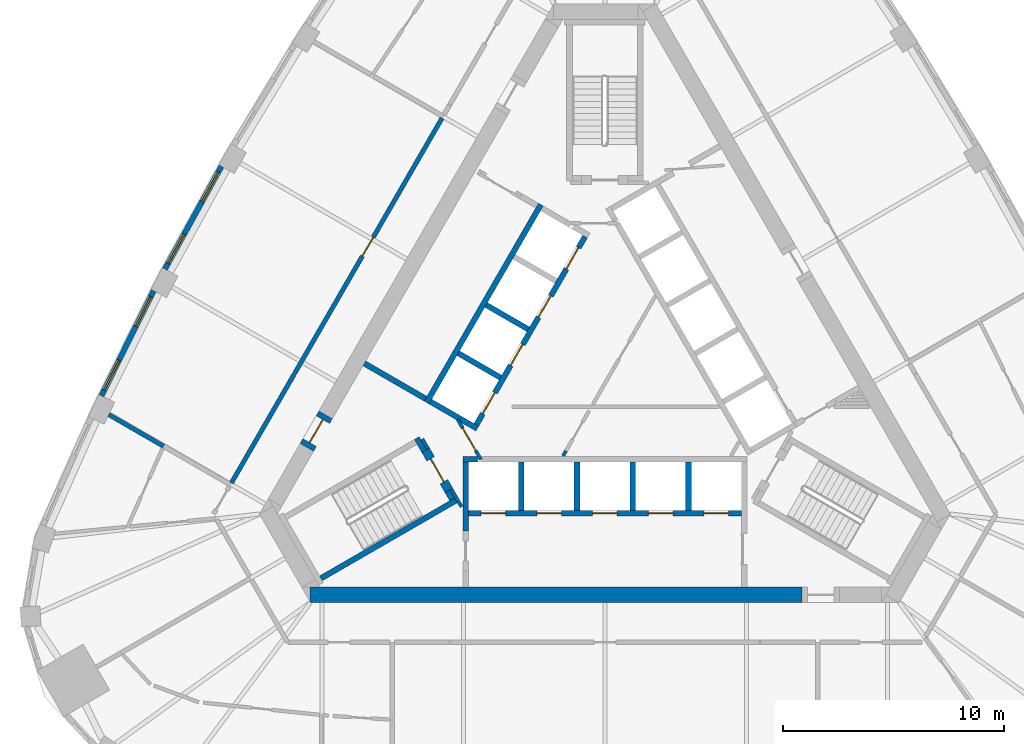
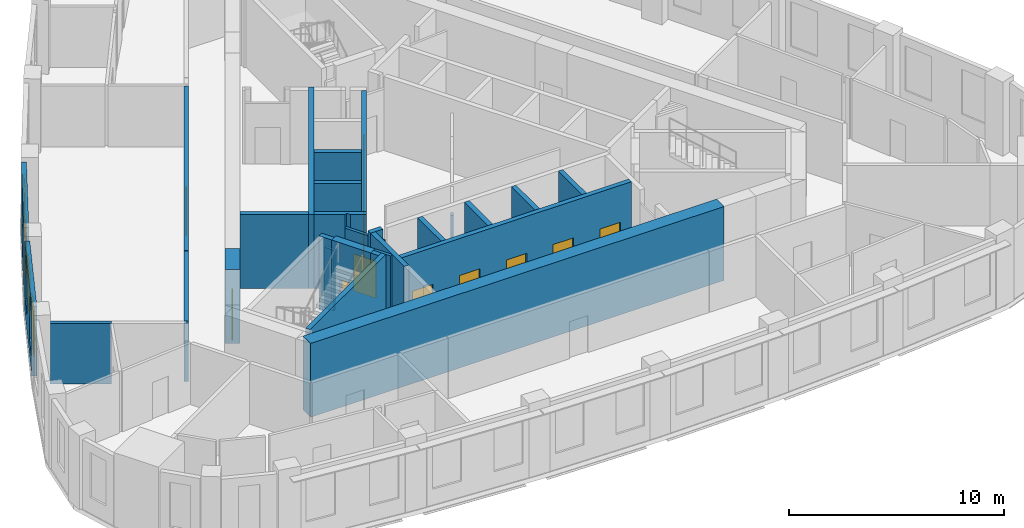
# One storey, part 4 of 10: 28 walls, 13 doors, 4 windows, 17 openings.
"""IFC4 building model written with IfcOpenShell, lengths in metres."""

from ifc_helpers import new_model, si_unit, direction, frame, frame_2d, origin, place, context, subcontext, project, spatial, polyline, rectangle, outline, extrude, material, layer, layer_set, type_object, element, fill, save


model = new_model("IFC4")

# Units and contexts
model_context = context("Model", 3, precision=1e-05, world=origin(), true_north=direction((0.0, 1.0)))
body_context = subcontext(model_context, "Body", "Model", "MODEL_VIEW")
ifc_project = project(units=[si_unit("LENGTHUNIT", "METRE"), si_unit("AREAUNIT", "SQUARE_METRE"), si_unit("VOLUMEUNIT", "CUBIC_METRE"), si_unit("PLANEANGLEUNIT", "RADIAN"), si_unit("MASSUNIT", "GRAM", prefix="KILO")], contexts=[model_context])

# Site, building, storey
site_placement = place(None, origin())
site = spatial("IfcSite", under=ifc_project, at=site_placement, CompositionType="ELEMENT")
building_placement = place(site_placement, origin())
building = spatial("IfcBuilding", under=site, at=building_placement, Name="Mestral Congress Tower", CompositionType="ELEMENT")
storey_placement = place(building_placement, frame((0.0, 0.0, 247.800048828125)))
storey = spatial("IfcBuildingStorey", under=building, at=storey_placement, Name="L58", CompositionType="ELEMENT", Elevation=247.800048828125)

# Walls
ifc_material_1 = material(Name="Fire-rated board partition")
ifc_layer_1 = layer(ifc_material_1, 0.14990234375)
ifc_layer_set_1 = layer_set([ifc_layer_1], Name="Fire-rated board partition")
wall_type_1 = type_object("IfcWallType", Name="Core partition 150", PredefinedType="PARTITIONING", material=ifc_layer_set_1)
wall_1_placement = place(storey_placement, frame((-8.251953125, -2.958251953125, 0.0), z_axis=(0.0, 0.0, 1.0), x_axis=(0.500174715838, -0.865924508047, 0.0)))
element("IfcWall", 1, at=wall_1_placement, inside=storey, type_object=wall_type_1, Name="L58 core wall", PredefinedType="PARTITIONING", context=body_context, shape_type="SweptSolid", body=[
    extrude(rectangle(XDim=0.513916015625, YDim=0.14990234375, at=frame_2d((0.2568359375, 0.0))), origin(), (0.0, 0.0, 1.0), 3.449951171875),
])
wall_2_placement = place(storey_placement, frame((-1.886962890625, -3.71826171875, 0.0), z_axis=(0.0, 0.0, 1.0), x_axis=(0.500165633897, 0.865929753888, 0.0)))
element("IfcWall", 2, at=wall_2_placement, inside=storey, type_object=wall_type_1, Name="L58 core wall", PredefinedType="PARTITIONING", context=body_context, shape_type="SweptSolid", body=[
    extrude(rectangle(XDim=0.25439453125, YDim=0.14990234375, at=frame_2d((0.127197265625, 0.0))), origin(), (0.0, 0.0, 1.0), 3.449951171875),
])

# Wall, opening, door
wall_3_placement = place(storey_placement, frame((-5.606201171875, -3.8896484375, 0.0), z_axis=(0.0, 0.0, 1.0), x_axis=(-0.500027713859, 0.866009402589, 0.0)))
wall_3 = element("IfcWall", 3, at=wall_3_placement, inside=storey, type_object=wall_type_1, Name="L58 door wall", PredefinedType="PARTITIONING", context=body_context, shape_type="SweptSolid", body=[
    extrude(rectangle(XDim=2.10009765625, YDim=0.14990234375, at=frame_2d((1.050048828125, 0.0))), origin(), (0.0, 0.0, 1.0), 3.449951171875),
])
opening_1_placement = place(wall_3_placement, frame((0.449951171875, 0.0, 0.0)))
opening_1 = element("IfcOpeningElement", 4, at=opening_1_placement, cuts=wall_3, Name="Opening CD3-FF", PredefinedType="OPENING", context=body_context, shape_type="SweptSolid", body=[
    extrude(rectangle(XDim=1.199951171875, YDim=2.10009765625, at=frame_2d((0.60009765625, 1.050048828125))), frame((0.0, 0.0849609375, 0.0), z_axis=(0.0, -1.0, 0.0), x_axis=(1.0, 0.0, 0.0)), (0.0, 0.0, 1.0), 0.169921875),
])
ifc_material_2 = material(Name="Fire-rated steel door set", Category="steel")
door_type_1 = type_object("IfcDoorType", Name="Core door CD 1200x2100", OperationType="SINGLE_SWING_LEFT", PredefinedType="DOOR", material=ifc_material_2)
door_1_placement = place(opening_1_placement, origin())
door_1 = element("IfcDoor", 5, at=door_1_placement, inside=storey, type_object=door_type_1, Name="Door CD3-FF", OperationType="SINGLE_SWING_LEFT", OverallHeight=2.10009765625, OverallWidth=1.199951171875, PredefinedType="DOOR", context=body_context, shape_type="SweptSolid", body=[
    extrude(rectangle(XDim=1.199951171875, YDim=2.10009765625, at=frame_2d((0.60009765625, 1.050048828125))), frame((0.0, 0.02490234375, 0.0), z_axis=(0.0, -1.0, 0.0), x_axis=(1.0, 0.0, 0.0)), (0.0, 0.0, 1.0), 0.050048828125),
])
fill(opening_1, door_1)

# Wall
ifc_material_3 = material(Name="Concrete C60/75", Category="concrete")
ifc_layer_2 = layer(ifc_material_3, 0.699951171875)
ifc_layer_set_2 = layer_set([ifc_layer_2], Name="Concrete C60/75")
wall_type_2 = type_object("IfcWallType", Name="Core wall RC 700", PredefinedType="SOLIDWALL", material=ifc_layer_set_2)
wall_4_placement = place(storey_placement, frame((8.904296875, -10.0, 0.0), z_axis=(0.0, 0.0, 1.0), x_axis=(-1.0, 0.0, 0.0)))
element("IfcWall", 6, at=wall_4_placement, inside=storey, type_object=wall_type_2, Name="L58 core wall", PredefinedType="SOLIDWALL", context=body_context, shape_type="SweptSolid", body=[
    extrude(rectangle(XDim=22.226318359375, YDim=0.699951171875, at=frame_2d((11.11328125, 0.0))), origin(), (0.0, 0.0, 1.0), 4.199951171875),
])

# Wall, opening, door
wall_5_placement = place(storey_placement, frame((-13.474853515625, -3.339111328125, 0.0), z_axis=(0.0, 0.0, 1.0), x_axis=(0.499954529098, 0.86605165483, 0.0)))
wall_5 = element("IfcWall", 7, at=wall_5_placement, inside=storey, type_object=wall_type_2, Name="L58 door wall", PredefinedType="SOLIDWALL", context=body_context, shape_type="SweptSolid", body=[
    extrude(rectangle(XDim=1.699951171875, YDim=0.699951171875, at=frame_2d((0.85009765625, 0.0))), origin(), (0.0, 0.0, 1.0), 4.199951171875),
])
opening_2_placement = place(wall_5_placement, frame((0.25, 0.0, 0.0)))
opening_2 = element("IfcOpeningElement", 8, at=opening_2_placement, cuts=wall_5, Name="Opening XD3", PredefinedType="OPENING", context=body_context, shape_type="SweptSolid", body=[
    extrude(rectangle(XDim=1.199951171875, YDim=2.10009765625, at=frame_2d((0.60009765625, 1.050048828125))), frame((0.0, 0.35986328125, 0.0), z_axis=(0.0, -1.0, 0.0), x_axis=(1.0, 0.0, 0.0)), (0.0, 0.0, 1.0), 0.719970703125),
])
door_type_2 = type_object("IfcDoorType", Name="Core door XD 1200x2100", OperationType="SINGLE_SWING_LEFT", PredefinedType="DOOR", material=ifc_material_2)
door_2_placement = place(opening_2_placement, origin())
door_2 = element("IfcDoor", 9, at=door_2_placement, inside=storey, type_object=door_type_2, Name="Door XD3", OperationType="SINGLE_SWING_LEFT", OverallHeight=2.10009765625, OverallWidth=1.199951171875, PredefinedType="DOOR", context=body_context, shape_type="SweptSolid", body=[
    extrude(rectangle(XDim=1.199951171875, YDim=2.10009765625, at=frame_2d((0.60009765625, 1.050048828125))), frame((0.0, 0.02490234375, 0.0), z_axis=(0.0, -1.0, 0.0), x_axis=(1.0, 0.0, 0.0)), (0.0, 0.0, 1.0), 0.050048828125),
])
fill(opening_2, door_2)

# Wall, openings, windows
ifc_material_4 = material(Name="Precast concrete C40/50 with limestone facing", Category="masonry")
ifc_layer_3 = layer(ifc_material_4, 0.239990234375)
ifc_layer_set_3 = layer_set([ifc_layer_3], Name="Precast concrete C40/50 with limestone facing")
wall_type_3 = type_object("IfcWallType", Name="Facade stone wall 240", PredefinedType="SOLIDWALL", material=ifc_layer_set_3)
wall_6_placement = place(storey_placement, frame((-17.338134765625, 9.367919921875, 0.0), z_axis=(0.0, 0.0, 1.0), x_axis=(-0.481925825015, -0.876212017256, 0.0)))
wall_6 = element("IfcWall", 10, at=wall_6_placement, inside=storey, type_object=wall_type_3, Name="Facade wall F2-03", PredefinedType="SOLIDWALL", context=body_context, shape_type="SweptSolid", body=[
    extrude(rectangle(XDim=5.298583984375, YDim=0.239990234375, at=frame_2d((2.6494140625, 0.0))), origin(), (0.0, 0.0, 1.0), 3.949951171875),
])
opening_3_placement = place(wall_6_placement, frame((0.294677734375, 0.0, 0.89990234375)))
opening_3 = element("IfcOpeningElement", 11, at=opening_3_placement, cuts=wall_6, Name="Opening W4", PredefinedType="OPENING", context=body_context, shape_type="SweptSolid", body=[
    extrude(rectangle(XDim=1.5, YDim=2.550048828125, at=frame_2d((0.75, 1.27490234375))), frame((0.0, 0.1298828125, 0.0), z_axis=(0.0, -1.0, 0.0), x_axis=(1.0, 0.0, 0.0)), (0.0, 0.0, 1.0), 0.260009765625),
])
opening_4_placement = place(wall_6_placement, frame((3.503662109375, 0.0, 0.89990234375)))
opening_4 = element("IfcOpeningElement", 12, at=opening_4_placement, cuts=wall_6, Name="Opening W4", PredefinedType="OPENING", context=body_context, shape_type="SweptSolid", body=[
    extrude(rectangle(XDim=1.5, YDim=2.550048828125, at=frame_2d((0.75, 1.27490234375))), frame((0.0, 0.1298828125, 0.0), z_axis=(0.0, -1.0, 0.0), x_axis=(1.0, 0.0, 0.0)), (0.0, 0.0, 1.0), 0.260009765625),
])
ifc_material_5 = material(Name="Clear low-emissivity double glazing", Category="glass")
window_type = type_object("IfcWindowType", Name="Facade punched window 1500 x 2550 sill 900", PartitioningType="SINGLE_PANEL", PredefinedType="WINDOW", material=ifc_material_5)
window_1_placement = place(opening_3_placement, origin())
window_1 = element("IfcWindow", 13, at=window_1_placement, inside=storey, type_object=window_type, Name="Window F2-03a", OverallHeight=2.550048828125, OverallWidth=1.5, PartitioningType="SINGLE_PANEL", PredefinedType="WINDOW", context=body_context, shape_type="SweptSolid", body=[
    extrude(rectangle(XDim=1.5, YDim=2.550048828125, at=frame_2d((0.75, 1.27490234375))), frame((0.0, 0.0400390625, 0.0), z_axis=(0.0, -1.0, 0.0), x_axis=(1.0, 0.0, 0.0)), (0.0, 0.0, 1.0), 0.06005859375),
])
fill(opening_3, window_1)
window_2_placement = place(opening_4_placement, origin())
window_2 = element("IfcWindow", 14, at=window_2_placement, inside=storey, type_object=window_type, Name="Window F2-03b", OverallHeight=2.550048828125, OverallWidth=1.5, PartitioningType="SINGLE_PANEL", PredefinedType="WINDOW", context=body_context, shape_type="SweptSolid", body=[
    extrude(rectangle(XDim=1.5, YDim=2.550048828125, at=frame_2d((0.75, 1.27490234375))), frame((0.0, 0.0400390625, 0.0), z_axis=(0.0, -1.0, 0.0), x_axis=(1.0, 0.0, 0.0)), (0.0, 0.0, 1.0), 0.06005859375),
])
fill(opening_4, window_2)

wall_7_placement = place(storey_placement, frame((-20.407470703125, 3.739501953125, 0.0), z_axis=(0.0, 0.0, 1.0), x_axis=(-0.445129582031, -0.895466166419, 0.0)))
wall_7 = element("IfcWall", 15, at=wall_7_placement, inside=storey, type_object=wall_type_3, Name="Facade wall F2-04", PredefinedType="SOLIDWALL", context=body_context, shape_type="SweptSolid", body=[
    extrude(rectangle(XDim=5.29833984375, YDim=0.239990234375, at=frame_2d((2.649169921875, 0.0))), origin(), (0.0, 0.0, 1.0), 3.949951171875),
])
opening_5_placement = place(wall_7_placement, frame((0.294677734375, 0.0, 0.89990234375)))
opening_5 = element("IfcOpeningElement", 16, at=opening_5_placement, cuts=wall_7, Name="Opening W4", PredefinedType="OPENING", context=body_context, shape_type="SweptSolid", body=[
    extrude(rectangle(XDim=1.5, YDim=2.550048828125, at=frame_2d((0.75, 1.27490234375))), frame((0.0, 0.1298828125, 0.0), z_axis=(0.0, -1.0, 0.0), x_axis=(1.0, 0.0, 0.0)), (0.0, 0.0, 1.0), 0.260009765625),
])
opening_6_placement = place(wall_7_placement, frame((3.503662109375, 0.0, 0.89990234375)))
opening_6 = element("IfcOpeningElement", 17, at=opening_6_placement, cuts=wall_7, Name="Opening W4", PredefinedType="OPENING", context=body_context, shape_type="SweptSolid", body=[
    extrude(rectangle(XDim=1.5, YDim=2.550048828125, at=frame_2d((0.75, 1.27490234375))), frame((0.0, 0.1298828125, 0.0), z_axis=(0.0, -1.0, 0.0), x_axis=(1.0, 0.0, 0.0)), (0.0, 0.0, 1.0), 0.260009765625),
])
window_3_placement = place(opening_5_placement, origin())
window_3 = element("IfcWindow", 18, at=window_3_placement, inside=storey, type_object=window_type, Name="Window F2-04a", OverallHeight=2.550048828125, OverallWidth=1.5, PartitioningType="SINGLE_PANEL", PredefinedType="WINDOW", context=body_context, shape_type="SweptSolid", body=[
    extrude(rectangle(XDim=1.5, YDim=2.550048828125, at=frame_2d((0.75, 1.27490234375))), frame((0.0, 0.0400390625, 0.0), z_axis=(0.0, -1.0, 0.0), x_axis=(1.0, 0.0, 0.0)), (0.0, 0.0, 1.0), 0.06005859375),
])
fill(opening_5, window_3)
window_4_placement = place(opening_6_placement, origin())
window_4 = element("IfcWindow", 19, at=window_4_placement, inside=storey, type_object=window_type, Name="Window F2-04b", OverallHeight=2.550048828125, OverallWidth=1.5, PartitioningType="SINGLE_PANEL", PredefinedType="WINDOW", context=body_context, shape_type="SweptSolid", body=[
    extrude(rectangle(XDim=1.5, YDim=2.550048828125, at=frame_2d((0.75, 1.27490234375))), frame((0.0, 0.0400390625, 0.0), z_axis=(0.0, -1.0, 0.0), x_axis=(1.0, 0.0, 0.0)), (0.0, 0.0, 1.0), 0.06005859375),
])
fill(opening_6, window_4)

# Wall
ifc_material_6 = material(Name="Dense masonry wall, plastered", Category="masonry")
ifc_layer_4 = layer(ifc_material_6, 0.199951171875)
ifc_layer_set_4 = layer_set([ifc_layer_4], Name="Dense masonry wall, plastered")
wall_type_4 = type_object("IfcWallType", Name="Office tenancy wall 200", PredefinedType="PARTITIONING", material=ifc_layer_set_4)
wall_8_placement = place(storey_placement, frame((-19.950927734375, -3.28759765625, 0.0), z_axis=(0.0, 0.0, 1.0), x_axis=(-0.866044908516, 0.499966215292, 0.0)))
element("IfcWall", 20, at=wall_8_placement, inside=storey, type_object=wall_type_4, Name="Tenancy wall", PredefinedType="PARTITIONING", context=body_context, shape_type="SweptSolid", body=[
    extrude(rectangle(XDim=2.861083984375, YDim=0.199951171875, at=frame_2d((1.4306640625, 0.0))), origin(), (0.0, 0.0, 1.0), 3.449951171875),
])

# Wall, opening, door
wall_9_placement = place(storey_placement, frame((-7.36376953125, 11.54541015625, 0.0), z_axis=(0.0, 0.0, 1.0), x_axis=(-0.500001759768, -0.86602438778, 0.0)))
wall_9 = element("IfcWall", 21, at=wall_9_placement, inside=storey, type_object=wall_type_4, Name="Tenancy wall", PredefinedType="PARTITIONING", context=body_context, shape_type="SweptSolid", body=[
    extrude(rectangle(XDim=13.31689453125, YDim=0.199951171875, at=frame_2d((6.658447265625, 0.0))), origin(), (0.0, 0.0, 1.0), 3.449951171875),
])
opening_7_placement = place(wall_9_placement, frame((6.199951171875, 0.0, 0.0)))
opening_7 = element("IfcOpeningElement", 22, at=opening_7_placement, cuts=wall_9, Name="Opening O09-015", PredefinedType="OPENING", context=body_context, shape_type="SweptSolid", body=[
    extrude(rectangle(XDim=1.0, YDim=2.10009765625, at=frame_2d((0.5, 1.050048828125))), frame((0.0, 0.10986328125, 0.0), z_axis=(0.0, -1.0, 0.0), x_axis=(1.0, 0.0, 0.0)), (0.0, 0.0, 1.0), 0.219970703125),
])
ifc_material_7 = material(Name="Fire-rated timber door set", Category="wood")
door_type_3 = type_object("IfcDoorType", Name="Office tenancy entrance door 1000x2100", OperationType="SINGLE_SWING_LEFT", PredefinedType="DOOR", material=ifc_material_7)
door_3_placement = place(opening_7_placement, origin())
door_3 = element("IfcDoor", 23, at=door_3_placement, inside=storey, type_object=door_type_3, Name="Door O09-015", OperationType="SINGLE_SWING_RIGHT", OverallHeight=2.10009765625, OverallWidth=1.0, PredefinedType="DOOR", context=body_context, shape_type="SweptSolid", body=[
    extrude(rectangle(XDim=1.0, YDim=2.10009765625, at=frame_2d((0.5, 1.050048828125))), frame((0.0, 0.02490234375, 0.0), z_axis=(0.0, -1.0, 0.0), x_axis=(1.0, 0.0, 0.0)), (0.0, 0.0, 1.0), 0.050048828125),
])
fill(opening_7, door_3)

# Walls
wall_10_placement = place(storey_placement, frame((-14.037109375, -0.01318359375, 0.0), z_axis=(0.0, 0.0, 1.0), x_axis=(-0.500018205831, -0.866014892388, 0.0)))
element("IfcWall", 24, at=wall_10_placement, inside=storey, type_object=wall_type_4, Name="Tenancy wall", PredefinedType="PARTITIONING", context=body_context, shape_type="SweptSolid", body=[
    extrude(rectangle(XDim=5.692626953125, YDim=0.199951171875, at=frame_2d((2.84619140625, 0.0))), origin(), (0.0, 0.0, 1.0), 3.449951171875),
])
ifc_layer_5 = layer(ifc_material_3, 0.25)
ifc_layer_set_5 = layer_set([ifc_layer_5], Name="Concrete C60/75")
wall_type_5 = type_object("IfcWallType", Name="Shaft wall RC 250", PredefinedType="SOLIDWALL", material=ifc_layer_set_5)
wall_11_placement = place(storey_placement, frame((-6.425048828125, -3.875, 0.0), z_axis=(0.0, 0.0, 1.0), x_axis=(1.0, 0.0, 0.0)))
element("IfcWall", 25, at=wall_11_placement, inside=storey, type_object=wall_type_5, Name="L58 core wall", PredefinedType="SOLIDWALL", context=body_context, shape_type="SweptSolid", body=[
    extrude(rectangle(XDim=0.657958984375, YDim=0.25, at=frame_2d((0.3291015625, 0.0))), origin(), (0.0, 0.0, 1.0), 4.199951171875),
])
for number, where, z_axis, x_axis, name in (
    (26, (3.780029296875, -4.0, 0.0), (0.0, 0.0, 1.0), (0.0, -1.0, 0.0), "L58 core wall"),
    (27, (1.260009765625, -4.0, 0.0), (0.0, 0.0, 1.0), (0.0, -1.0, 0.0), "L58 core wall"),
    (28, (-1.260009765625, -4.0, 0.0), (0.0, 0.0, 1.0), (0.0, -1.0, 0.0), "L58 core wall"),
    (29, (-3.780029296875, -4.0, 0.0), (0.0, 0.0, 1.0), (0.0, -1.0, 0.0), "L58 core wall"),
):
    element("IfcWall", number, at=place(storey_placement, frame(where, z_axis=z_axis, x_axis=x_axis)), inside=storey, type_object=wall_type_5, Name=name, PredefinedType="SOLIDWALL", context=body_context, shape_type="SweptSolid", body=[
        extrude(rectangle(XDim=2.199951171875, YDim=0.25, at=frame_2d((1.10009765625, 0.0))), origin(), (0.0, 0.0, 1.0), 4.199951171875),
    ])
wall_12_placement = place(storey_placement, frame((-6.300048828125, -7.12451171875, 0.0), z_axis=(0.0, 0.0, 1.0), x_axis=(0.0, 1.0, 0.0)))
element("IfcWall", 30, at=wall_12_placement, inside=storey, type_object=wall_type_5, Name="L58 core wall", PredefinedType="SOLIDWALL", context=body_context, shape_type="SweptSolid", body=[
    extrude(rectangle(XDim=3.12451171875, YDim=0.25, at=frame_2d((1.562255859375, 0.0))), origin(), (0.0, 0.0, 1.0), 4.199951171875),
])
wall_13_placement = place(storey_placement, frame((-8.06005859375, -1.310546875, 0.0), z_axis=(0.0, 0.0, 1.0), x_axis=(0.50000273126, 0.866023826885, 0.0)))
element("IfcWall", 31, at=wall_13_placement, inside=storey, type_object=wall_type_5, Name="L58 core wall", PredefinedType="SOLIDWALL", context=body_context, shape_type="SweptSolid", body=[
    extrude(rectangle(XDim=10.330078125, YDim=0.25, at=frame_2d((5.1650390625, 0.0))), origin(), (0.0, 0.0, 1.0), 4.199951171875),
])
for number, where, z_axis, x_axis, name in (
    (32, (-5.369384765625, 3.10009765625, 0.0), (0.0, 0.0, 1.0), (0.866008176907, -0.50002983664, 0.0), "L58 core wall"),
    (33, (-4.72412109375, -0.182373046875, 0.0), (0.0, 0.0, 1.0), (-0.866008176907, 0.50002983664, 0.0), "L58 core wall"),
):
    element("IfcWall", number, at=place(storey_placement, frame(where, z_axis=z_axis, x_axis=x_axis)), inside=storey, type_object=wall_type_5, Name=name, PredefinedType="SOLIDWALL", context=body_context, shape_type="SweptSolid", body=[
        extrude(rectangle(XDim=2.199951171875, YDim=0.25, at=frame_2d((1.10009765625, 0.0))), origin(), (0.0, 0.0, 1.0), 4.199951171875),
    ])
wall_14_placement = place(storey_placement, origin())
element("IfcWall", 34, at=wall_14_placement, inside=storey, type_object=wall_type_5, Name="L58 core wall", PredefinedType="SOLIDWALL", context=body_context, shape_type="SweptSolid", body=[
    extrude(outline(polyline([(-5.921630859375, -2.256591796875), (-5.921630859375, -2.256591796875), (-5.705078125, -2.381591796875), (-5.830078125, -2.597900390625), (-6.48291015625, -2.22119140625), (-6.59130859375, -2.033447265625), (-6.59130859375, -2.033447265625), (-6.69970703125, -2.095947265625), (-7.951904296875, -1.373046875), (-7.826904296875, -1.156494140625), (-5.921630859375, -2.256591796875)])), origin(), (0.0, 0.0, 1.0), 4.199951171875),
])
wall_15_placement = place(storey_placement, frame((-8.10595703125, -1.139892578125, 0.0), z_axis=(0.0, 0.0, 1.0), x_axis=(-0.866008981251, 0.500028443584, 0.0)))
element("IfcWall", 35, at=wall_15_placement, inside=storey, type_object=wall_type_5, Name="L58 core wall", PredefinedType="SOLIDWALL", context=body_context, shape_type="SweptSolid", body=[
    extrude(rectangle(XDim=3.199951171875, YDim=0.25, at=frame_2d((1.60009765625, 0.0))), origin(), (0.0, 0.0, 1.0), 4.199951171875),
])

# Wall, openings, doors
wall_16_placement = place(storey_placement, frame((-6.175048828125, -6.324951171875, 0.0), z_axis=(0.0, 0.0, 1.0), x_axis=(1.0, 0.0, 0.0)))
wall_16 = element("IfcWall", 36, at=wall_16_placement, inside=storey, type_object=wall_type_5, Name="L58 door wall", PredefinedType="SOLIDWALL", context=body_context, shape_type="SweptSolid", body=[
    extrude(rectangle(XDim=12.35009765625, YDim=0.25, at=frame_2d((6.175048828125, 0.0))), origin(), (0.0, 0.0, 1.0), 4.199951171875),
])
opening_8_placement = place(wall_16_placement, frame((0.5849609375, 0.0, 0.0)))
opening_8 = element("IfcOpeningElement", 37, at=opening_8_placement, cuts=wall_16, Name="Opening LD-SOB1", PredefinedType="OPENING", context=body_context, shape_type="SweptSolid", body=[
    extrude(rectangle(XDim=1.10009765625, YDim=2.10009765625, at=frame_2d((0.550048828125, 1.050048828125))), frame((0.0, 0.135009765625, 0.0), z_axis=(0.0, -1.0, 0.0), x_axis=(1.0, 0.0, 0.0)), (0.0, 0.0, 1.0), 0.27001953125),
])
opening_9_placement = place(wall_16_placement, frame((3.10498046875, 0.0, 0.0)))
opening_9 = element("IfcOpeningElement", 38, at=opening_9_placement, cuts=wall_16, Name="Opening LD-SOB2", PredefinedType="OPENING", context=body_context, shape_type="SweptSolid", body=[
    extrude(rectangle(XDim=1.10009765625, YDim=2.10009765625, at=frame_2d((0.550048828125, 1.050048828125))), frame((0.0, 0.135009765625, 0.0), z_axis=(0.0, -1.0, 0.0), x_axis=(1.0, 0.0, 0.0)), (0.0, 0.0, 1.0), 0.27001953125),
])
opening_10_placement = place(wall_16_placement, frame((5.625, 0.0, 0.0)))
opening_10 = element("IfcOpeningElement", 39, at=opening_10_placement, cuts=wall_16, Name="Opening LD-SOB3", PredefinedType="OPENING", context=body_context, shape_type="SweptSolid", body=[
    extrude(rectangle(XDim=1.10009765625, YDim=2.10009765625, at=frame_2d((0.550048828125, 1.050048828125))), frame((0.0, 0.135009765625, 0.0), z_axis=(0.0, -1.0, 0.0), x_axis=(1.0, 0.0, 0.0)), (0.0, 0.0, 1.0), 0.27001953125),
])
opening_11_placement = place(wall_16_placement, frame((8.14501953125, 0.0, 0.0)))
opening_11 = element("IfcOpeningElement", 40, at=opening_11_placement, cuts=wall_16, Name="Opening LD-SOB4", PredefinedType="OPENING", context=body_context, shape_type="SweptSolid", body=[
    extrude(rectangle(XDim=1.10009765625, YDim=2.10009765625, at=frame_2d((0.550048828125, 1.050048828125))), frame((0.0, 0.135009765625, 0.0), z_axis=(0.0, -1.0, 0.0), x_axis=(1.0, 0.0, 0.0)), (0.0, 0.0, 1.0), 0.27001953125),
])
opening_12_placement = place(wall_16_placement, frame((10.6650390625, 0.0, 0.0)))
opening_12 = element("IfcOpeningElement", 41, at=opening_12_placement, cuts=wall_16, Name="Opening LD-SOB5", PredefinedType="OPENING", context=body_context, shape_type="SweptSolid", body=[
    extrude(rectangle(XDim=1.10009765625, YDim=2.10009765625, at=frame_2d((0.550048828125, 1.050048828125))), frame((0.0, 0.135009765625, 0.0), z_axis=(0.0, -1.0, 0.0), x_axis=(1.0, 0.0, 0.0)), (0.0, 0.0, 1.0), 0.27001953125),
])
door_type_4 = type_object("IfcDoorType", Name="Core door LD 1100x2100", OperationType="DOUBLE_DOOR_SLIDING", PredefinedType="DOOR", material=ifc_material_2)
door_4_placement = place(opening_8_placement, origin())
door_4 = element("IfcDoor", 42, at=door_4_placement, inside=storey, type_object=door_type_4, Name="Door LD-SOB1", OperationType="DOUBLE_DOOR_SLIDING", OverallHeight=2.10009765625, OverallWidth=1.10009765625, PredefinedType="DOOR", context=body_context, shape_type="SweptSolid", body=[
    extrude(rectangle(XDim=1.10009765625, YDim=2.10009765625, at=frame_2d((0.550048828125, 1.050048828125))), frame((0.0, 0.02490234375, 0.0), z_axis=(0.0, -1.0, 0.0), x_axis=(1.0, 0.0, 0.0)), (0.0, 0.0, 1.0), 0.050048828125),
])
fill(opening_8, door_4)
door_5_placement = place(opening_9_placement, origin())
door_5 = element("IfcDoor", 43, at=door_5_placement, inside=storey, type_object=door_type_4, Name="Door LD-SOB2", OperationType="DOUBLE_DOOR_SLIDING", OverallHeight=2.10009765625, OverallWidth=1.10009765625, PredefinedType="DOOR", context=body_context, shape_type="SweptSolid", body=[
    extrude(rectangle(XDim=1.10009765625, YDim=2.10009765625, at=frame_2d((0.550048828125, 1.050048828125))), frame((0.0, 0.02490234375, 0.0), z_axis=(0.0, -1.0, 0.0), x_axis=(1.0, 0.0, 0.0)), (0.0, 0.0, 1.0), 0.050048828125),
])
fill(opening_9, door_5)
door_6_placement = place(opening_10_placement, origin())
door_6 = element("IfcDoor", 44, at=door_6_placement, inside=storey, type_object=door_type_4, Name="Door LD-SOB3", OperationType="DOUBLE_DOOR_SLIDING", OverallHeight=2.10009765625, OverallWidth=1.10009765625, PredefinedType="DOOR", context=body_context, shape_type="SweptSolid", body=[
    extrude(rectangle(XDim=1.10009765625, YDim=2.10009765625, at=frame_2d((0.550048828125, 1.050048828125))), frame((0.0, 0.02490234375, 0.0), z_axis=(0.0, -1.0, 0.0), x_axis=(1.0, 0.0, 0.0)), (0.0, 0.0, 1.0), 0.050048828125),
])
fill(opening_10, door_6)
door_7_placement = place(opening_11_placement, origin())
door_7 = element("IfcDoor", 45, at=door_7_placement, inside=storey, type_object=door_type_4, Name="Door LD-SOB4", OperationType="DOUBLE_DOOR_SLIDING", OverallHeight=2.10009765625, OverallWidth=1.10009765625, PredefinedType="DOOR", context=body_context, shape_type="SweptSolid", body=[
    extrude(rectangle(XDim=1.10009765625, YDim=2.10009765625, at=frame_2d((0.550048828125, 1.050048828125))), frame((0.0, 0.02490234375, 0.0), z_axis=(0.0, -1.0, 0.0), x_axis=(1.0, 0.0, 0.0)), (0.0, 0.0, 1.0), 0.050048828125),
])
fill(opening_11, door_7)
door_8_placement = place(opening_12_placement, origin())
door_8 = element("IfcDoor", 46, at=door_8_placement, inside=storey, type_object=door_type_4, Name="Door LD-SOB5", OperationType="DOUBLE_DOOR_SLIDING", OverallHeight=2.10009765625, OverallWidth=1.10009765625, PredefinedType="DOOR", context=body_context, shape_type="SweptSolid", body=[
    extrude(rectangle(XDim=1.10009765625, YDim=2.10009765625, at=frame_2d((0.550048828125, 1.050048828125))), frame((0.0, 0.02490234375, 0.0), z_axis=(0.0, -1.0, 0.0), x_axis=(1.0, 0.0, 0.0)), (0.0, 0.0, 1.0), 0.050048828125),
])
fill(opening_12, door_8)

wall_17_placement = place(storey_placement, frame((-0.898193359375, 6.194091796875, 0.0), z_axis=(0.0, 0.0, 1.0), x_axis=(-0.499996202215, -0.866027596426, 0.0)))
wall_17 = element("IfcWall", 47, at=wall_17_placement, inside=storey, type_object=wall_type_5, Name="L58 door wall", PredefinedType="SOLIDWALL", context=body_context, shape_type="SweptSolid", body=[
    extrude(rectangle(XDim=9.830078125, YDim=0.25, at=frame_2d((4.9150390625, 0.0))), origin(), (0.0, 0.0, 1.0), 4.199951171875),
])
opening_13_placement = place(wall_17_placement, frame((0.5849609375, 0.0, 0.0)))
opening_13 = element("IfcOpeningElement", 48, at=opening_13_placement, cuts=wall_17, Name="Opening LD-NWB1", PredefinedType="OPENING", context=body_context, shape_type="SweptSolid", body=[
    extrude(rectangle(XDim=1.10009765625, YDim=2.10009765625, at=frame_2d((0.550048828125, 1.050048828125))), frame((0.0, 0.135009765625, 0.0), z_axis=(0.0, -1.0, 0.0), x_axis=(1.0, 0.0, 0.0)), (0.0, 0.0, 1.0), 0.27001953125),
])
opening_14_placement = place(wall_17_placement, frame((3.10498046875, 0.0, 0.0)))
opening_14 = element("IfcOpeningElement", 49, at=opening_14_placement, cuts=wall_17, Name="Opening LD-NWB2", PredefinedType="OPENING", context=body_context, shape_type="SweptSolid", body=[
    extrude(rectangle(XDim=1.10009765625, YDim=2.10009765625, at=frame_2d((0.550048828125, 1.050048828125))), frame((0.0, 0.135009765625, 0.0), z_axis=(0.0, -1.0, 0.0), x_axis=(1.0, 0.0, 0.0)), (0.0, 0.0, 1.0), 0.27001953125),
])
opening_15_placement = place(wall_17_placement, frame((5.625, 0.0, 0.0)))
opening_15 = element("IfcOpeningElement", 50, at=opening_15_placement, cuts=wall_17, Name="Opening LD-NWB3", PredefinedType="OPENING", context=body_context, shape_type="SweptSolid", body=[
    extrude(rectangle(XDim=1.10009765625, YDim=2.10009765625, at=frame_2d((0.550048828125, 1.050048828125))), frame((0.0, 0.135009765625, 0.0), z_axis=(0.0, -1.0, 0.0), x_axis=(1.0, 0.0, 0.0)), (0.0, 0.0, 1.0), 0.27001953125),
])
opening_16_placement = place(wall_17_placement, frame((8.14501953125, 0.0, 0.0)))
opening_16 = element("IfcOpeningElement", 51, at=opening_16_placement, cuts=wall_17, Name="Opening LD-NWB4", PredefinedType="OPENING", context=body_context, shape_type="SweptSolid", body=[
    extrude(rectangle(XDim=1.10009765625, YDim=2.10009765625, at=frame_2d((0.550048828125, 1.050048828125))), frame((0.0, 0.135009765625, 0.0), z_axis=(0.0, -1.0, 0.0), x_axis=(1.0, 0.0, 0.0)), (0.0, 0.0, 1.0), 0.27001953125),
])
door_9_placement = place(opening_13_placement, origin())
door_9 = element("IfcDoor", 52, at=door_9_placement, inside=storey, type_object=door_type_4, Name="Door LD-NWB1", OperationType="DOUBLE_DOOR_SLIDING", OverallHeight=2.10009765625, OverallWidth=1.10009765625, PredefinedType="DOOR", context=body_context, shape_type="SweptSolid", body=[
    extrude(rectangle(XDim=1.10009765625, YDim=2.10009765625, at=frame_2d((0.550048828125, 1.050048828125))), frame((0.0, 0.02490234375, 0.0), z_axis=(0.0, -1.0, 0.0), x_axis=(1.0, 0.0, 0.0)), (0.0, 0.0, 1.0), 0.050048828125),
])
fill(opening_13, door_9)
door_10_placement = place(opening_14_placement, origin())
door_10 = element("IfcDoor", 53, at=door_10_placement, inside=storey, type_object=door_type_4, Name="Door LD-NWB2", OperationType="DOUBLE_DOOR_SLIDING", OverallHeight=2.10009765625, OverallWidth=1.10009765625, PredefinedType="DOOR", context=body_context, shape_type="SweptSolid", body=[
    extrude(rectangle(XDim=1.10009765625, YDim=2.10009765625, at=frame_2d((0.550048828125, 1.050048828125))), frame((0.0, 0.02490234375, 0.0), z_axis=(0.0, -1.0, 0.0), x_axis=(1.0, 0.0, 0.0)), (0.0, 0.0, 1.0), 0.050048828125),
])
fill(opening_14, door_10)
door_11_placement = place(opening_15_placement, origin())
door_11 = element("IfcDoor", 54, at=door_11_placement, inside=storey, type_object=door_type_4, Name="Door LD-NWB3", OperationType="DOUBLE_DOOR_SLIDING", OverallHeight=2.10009765625, OverallWidth=1.10009765625, PredefinedType="DOOR", context=body_context, shape_type="SweptSolid", body=[
    extrude(rectangle(XDim=1.10009765625, YDim=2.10009765625, at=frame_2d((0.550048828125, 1.050048828125))), frame((0.0, 0.02490234375, 0.0), z_axis=(0.0, -1.0, 0.0), x_axis=(1.0, 0.0, 0.0)), (0.0, 0.0, 1.0), 0.050048828125),
])
fill(opening_15, door_11)
door_12_placement = place(opening_16_placement, origin())
door_12 = element("IfcDoor", 55, at=door_12_placement, inside=storey, type_object=door_type_4, Name="Door LD-NWB4", OperationType="DOUBLE_DOOR_SLIDING", OverallHeight=2.10009765625, OverallWidth=1.10009765625, PredefinedType="DOOR", context=body_context, shape_type="SweptSolid", body=[
    extrude(rectangle(XDim=1.10009765625, YDim=2.10009765625, at=frame_2d((0.550048828125, 1.050048828125))), frame((0.0, 0.02490234375, 0.0), z_axis=(0.0, -1.0, 0.0), x_axis=(1.0, 0.0, 0.0)), (0.0, 0.0, 1.0), 0.050048828125),
])
fill(opening_16, door_12)

# Walls
ifc_layer_6 = layer(ifc_material_3, 0.14990234375)
ifc_layer_set_6 = layer_set([ifc_layer_6], Name="Concrete C60/75")
wall_type_6 = type_object("IfcWallType", Name="Shaft wall RC 250 door-wall 150", PredefinedType="SOLIDWALL", material=ifc_layer_set_6)
wall_18_placement = place(storey_placement, frame((-6.48046875, -6.026611328125, 0.0), z_axis=(0.0, 0.0, 1.0), x_axis=(-0.499927229454, 0.866067413802, 0.0)))
element("IfcWall", 56, at=wall_18_placement, inside=storey, type_object=wall_type_6, Name="L58 core wall", PredefinedType="PARTITIONING", context=body_context, shape_type="SweptSolid", body=[
    extrude(rectangle(XDim=0.928955078125, YDim=0.14990234375, at=frame_2d((0.46435546875, 0.0))), origin(), (0.0, 0.0, 1.0), 4.199951171875),
])
ifc_layer_7 = layer(ifc_material_3, 0.25)
ifc_layer_set_7 = layer_set([ifc_layer_7], Name="Concrete C60/75")
wall_type_7 = type_object("IfcWallType", Name="Stair wall RC 250", PredefinedType="SOLIDWALL", material=ifc_layer_set_7)
wall_19_placement = place(storey_placement, frame((-8.167724609375, -3.503173828125, 0.0), z_axis=(0.0, 0.0, 1.0), x_axis=(-0.499952099219, 0.866053057547, 0.0)))
element("IfcWall", 57, at=wall_19_placement, inside=storey, type_object=wall_type_7, Name="L58 core wall", PredefinedType="SOLIDWALL", context=body_context, shape_type="SweptSolid", body=[
    extrude(rectangle(XDim=0.6748046875, YDim=0.25, at=frame_2d((0.33740234375, 0.0))), origin(), (0.0, 0.0, 1.0), 4.199951171875),
])
wall_20_placement = place(storey_placement, frame((-12.83984375, -9.2607421875, 0.0), z_axis=(0.0, 0.0, 1.0), x_axis=(0.866016039709, 0.500016218704, 0.0)))
element("IfcWall", 58, at=wall_20_placement, inside=storey, type_object=wall_type_7, Name="L58 core wall", PredefinedType="SOLIDWALL", context=body_context, shape_type="SweptSolid", body=[
    extrude(rectangle(XDim=7.050048828125, YDim=0.25, at=frame_2d((3.52490234375, 0.0))), origin(), (0.0, 0.0, 1.0), 4.199951171875),
])
wall_21_placement = place(storey_placement, frame((-6.905029296875, -5.68994140625, 0.0), z_axis=(0.0, 0.0, 1.0), x_axis=(-0.500402024738, 0.865793170242, 0.0)))
element("IfcWall", 59, at=wall_21_placement, inside=storey, type_object=wall_type_7, Name="L58 core wall", PredefinedType="SOLIDWALL", context=body_context, shape_type="SweptSolid", body=[
    extrude(rectangle(XDim=0.425048828125, YDim=0.25, at=frame_2d((0.21240234375, 0.0))), origin(), (0.0, 0.0, 1.0), 4.199951171875),
])

# Wall, opening, door
ifc_layer_8 = layer(ifc_material_3, 0.39990234375)
ifc_layer_set_8 = layer_set([ifc_layer_8], Name="Concrete C60/75")
wall_type_8 = type_object("IfcWallType", Name="Stair wall RC 250 door-wall 400", PredefinedType="SOLIDWALL", material=ifc_layer_set_8)
wall_22_placement = place(storey_placement, frame((-8.102783203125, -3.4658203125, 0.0), z_axis=(0.0, 0.0, 1.0), x_axis=(0.500078061341, -0.865980330357, 0.0)))
wall_22 = element("IfcWall", 60, at=wall_22_placement, inside=storey, type_object=wall_type_8, Name="L58 door wall", PredefinedType="SOLIDWALL", context=body_context, shape_type="SweptSolid", body=[
    extrude(rectangle(XDim=2.099853515625, YDim=0.39990234375, at=frame_2d((1.0498046875, 0.0))), origin(), (0.0, 0.0, 1.0), 4.199951171875),
])
opening_17_placement = place(wall_22_placement, frame((0.449951171875, 0.0, 0.0)))
opening_17 = element("IfcOpeningElement", 61, at=opening_17_placement, cuts=wall_22, Name="Opening ST-D3", PredefinedType="OPENING", context=body_context, shape_type="SweptSolid", body=[
    extrude(rectangle(XDim=1.199951171875, YDim=2.10009765625, at=frame_2d((0.60009765625, 1.050048828125))), frame((0.0, 0.2099609375, 0.0), z_axis=(0.0, -1.0, 0.0), x_axis=(1.0, 0.0, 0.0)), (0.0, 0.0, 1.0), 0.419921875),
])
door_type_5 = type_object("IfcDoorType", Name="Core door ST 1200x2100", OperationType="SINGLE_SWING_LEFT", PredefinedType="DOOR", material=ifc_material_2)
door_13_placement = place(opening_17_placement, origin())
door_13 = element("IfcDoor", 62, at=door_13_placement, inside=storey, type_object=door_type_5, Name="Door ST-D3", OperationType="SINGLE_SWING_LEFT", OverallHeight=2.10009765625, OverallWidth=1.199951171875, PredefinedType="DOOR", context=body_context, shape_type="SweptSolid", body=[
    extrude(rectangle(XDim=1.199951171875, YDim=2.10009765625, at=frame_2d((0.60009765625, 1.050048828125))), frame((0.0, 0.02490234375, 0.0), z_axis=(0.0, -1.0, 0.0), x_axis=(1.0, 0.0, 0.0)), (0.0, 0.0, 1.0), 0.050048828125),
])
fill(opening_17, door_13)

save(model, "model.ifc")
